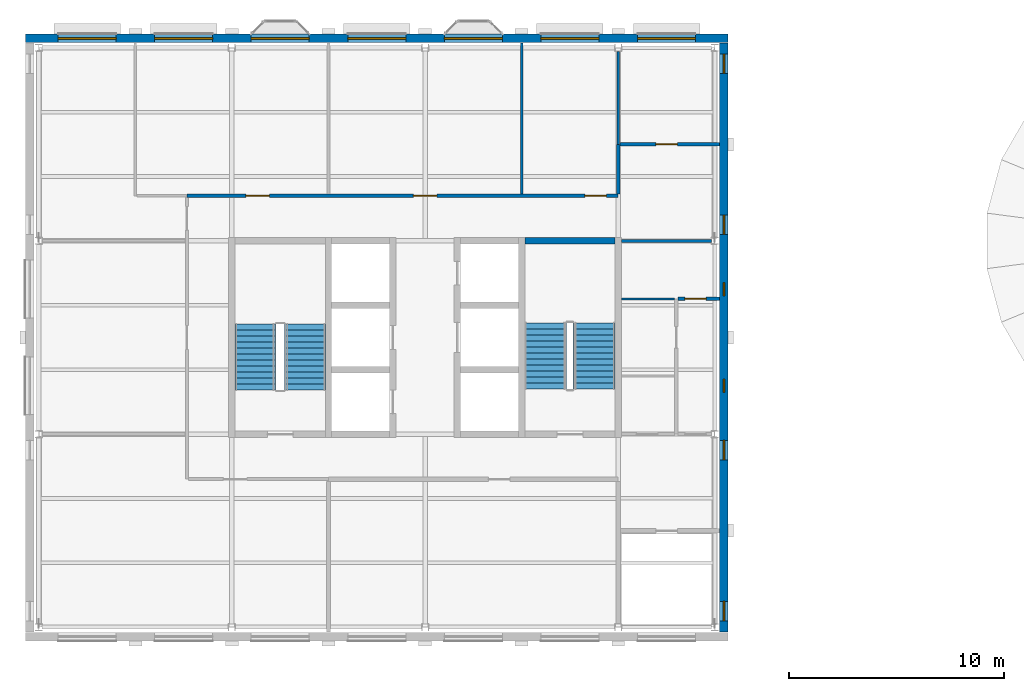
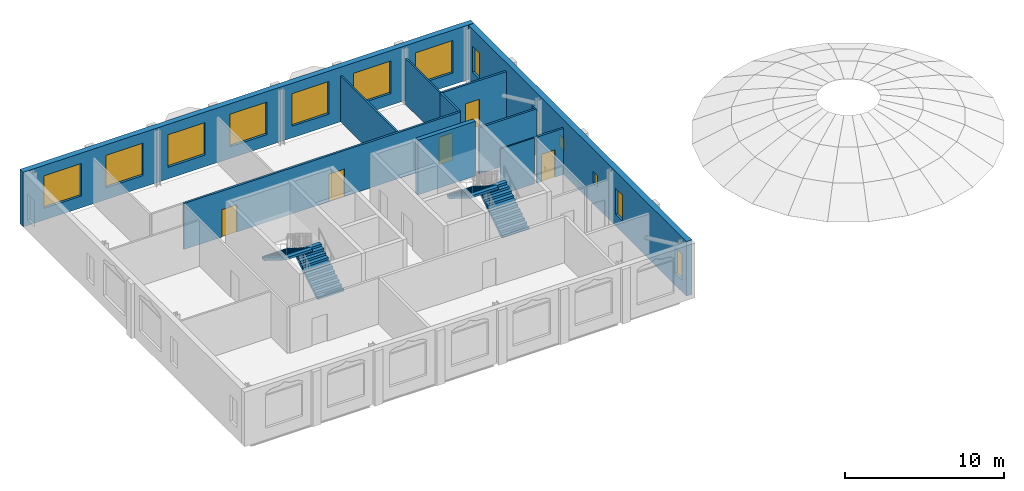
# One storey, part 7 of 11: 13 windows, 11 walls, 5 doors, 4 stair flights, 18 openings, 2 elements without a shape of their own.
"""IFC4 building model written with IfcOpenShell, lengths in metres."""

from ifc_helpers import new_model, si_unit, direction, frame, frame_2d, origin, place, context, subcontext, project, spatial, polyline, rectangle, outline, extrude, material, layer, layer_set, type_object, element, fill, aggregate, save


model = new_model("IFC4")

# Units and contexts
model_context = context("Model", 3, precision=1e-05, world=origin(), true_north=direction((0.0, 1.0)))
body_context = subcontext(model_context, "Body", "Model", "MODEL_VIEW")
ifc_project = project(units=[si_unit("LENGTHUNIT", "METRE"), si_unit("AREAUNIT", "SQUARE_METRE"), si_unit("VOLUMEUNIT", "CUBIC_METRE"), si_unit("PLANEANGLEUNIT", "RADIAN"), si_unit("MASSUNIT", "GRAM", prefix="KILO")], contexts=[model_context])

# Site, building, storey
site_placement = place(None, origin())
site = spatial("IfcSite", under=ifc_project, at=site_placement, CompositionType="ELEMENT")
building_placement = place(site_placement, origin())
building = spatial("IfcBuilding", under=site, at=building_placement, Name="Hortulan Conservatory and Botanical Research Centre", CompositionType="ELEMENT")
storey_placement = place(building_placement, frame((0.0, 0.0, 27.60009765625)))
storey = spatial("IfcBuildingStorey", under=building, at=storey_placement, Name="L06", CompositionType="ELEMENT", Elevation=27.60009765625)

# Walls
ifc_material_1 = material(Name="Concrete N50 (50 MPa, AS 3600)", Category="concrete")
ifc_layer_1 = layer(ifc_material_1, 0.300048828125)
ifc_layer_set_1 = layer_set([ifc_layer_1], Name="Core Wall 300 N50 FRL 240/120/120")
wall_type_1 = type_object("IfcWallType", Name="Core Wall 300 N50 FRL 240/120/120", PredefinedType="SHEAR", material=ifc_layer_set_1)
wall_1_placement = place(storey_placement, frame((22.64990234375, 18.0, 0.0), z_axis=(0.0, 0.0, 1.0), x_axis=(1.0, 0.0, 0.0)))
element("IfcWall", 1, at=wall_1_placement, inside=storey, type_object=wall_type_1, Name="Reinforced concrete shaft wall", PredefinedType="SHEAR", context=body_context, shape_type="SweptSolid", body=[
    extrude(rectangle(XDim=4.2001953125, YDim=0.300048828125, at=frame_2d((2.10009765625, 0.0))), origin(), (0.0, 0.0, 1.0), 4.199951171875),
])
ifc_material_2 = material(Name="Plasterboard on steel studs", Category="steel")
ifc_layer_2 = layer(ifc_material_2, 0.14990234375)
ifc_layer_set_2 = layer_set([ifc_layer_2], Name="Corridor Partition 150")
wall_type_2 = type_object("IfcWallType", Name="Corridor Partition 150", PredefinedType="PARTITIONING", material=ifc_layer_set_2)
wall_2_placement = place(storey_placement, frame((27.0, 20.18505859375, 0.0), z_axis=(0.0, 0.0, 1.0), x_axis=(0.0, 1.0, 0.0)))
element("IfcWall", 2, at=wall_2_placement, inside=storey, type_object=wall_type_2, Name="Corridor partition", PredefinedType="PARTITIONING", context=body_context, shape_type="SweptSolid", body=[
    extrude(rectangle(XDim=2.304931640625, YDim=0.14990234375, at=frame_2d((1.15234375, 0.0))), origin(), (0.0, 0.0, 1.0), 3.536865234375),
])
wall_3_placement = place(storey_placement, frame((27.159912109375, 18.0, 0.0), z_axis=(0.0, 0.0, 1.0), x_axis=(1.0, 0.0, 0.0)))
element("IfcWall", 3, at=wall_3_placement, inside=storey, type_object=wall_type_2, Name="Corridor partition", PredefinedType="PARTITIONING", context=body_context, shape_type="SweptSolid", body=[
    extrude(rectangle(XDim=4.174560546875, YDim=0.14990234375, at=frame_2d((2.08740234375, 0.0))), origin(), (0.0, 0.0, 1.0), 3.536865234375),
])

# Wall, openings, doors
wall_4_placement = place(storey_placement, frame((6.89990234375, 20.10009765625, 0.0), z_axis=(0.0, 0.0, 1.0), x_axis=(1.0, 0.0, 0.0)))
wall_4 = element("IfcWall", 4, at=wall_4_placement, inside=storey, type_object=wall_type_2, Name="Corridor partition", PredefinedType="PARTITIONING", context=body_context, shape_type="SweptSolid", body=[
    extrude(rectangle(XDim=20.10009765625, YDim=0.14990234375, at=frame_2d((10.050048828125, 0.0))), origin(), (0.0, 0.0, 1.0), 3.536865234375),
])
opening_1_placement = place(wall_4_placement, frame((2.75, 0.0, 0.0)))
opening_1 = element("IfcOpeningElement", 5, at=opening_1_placement, cuts=wall_4, Name="Opening DT3", PredefinedType="OPENING", context=body_context, shape_type="SweptSolid", body=[
    extrude(rectangle(XDim=1.10009765625, YDim=2.10009765625, at=frame_2d((0.550048828125, 1.050048828125))), frame((0.0, 0.0849609375, 0.0), z_axis=(0.0, -1.0, 0.0), x_axis=(1.0, 0.0, 0.0)), (0.0, 0.0, 1.0), 0.169921875),
])
opening_2_placement = place(wall_4_placement, frame((10.550048828125, 0.0, 0.0)))
opening_2 = element("IfcOpeningElement", 6, at=opening_2_placement, cuts=wall_4, Name="Opening DT3", PredefinedType="OPENING", context=body_context, shape_type="SweptSolid", body=[
    extrude(rectangle(XDim=1.10009765625, YDim=2.10009765625, at=frame_2d((0.550048828125, 1.050048828125))), frame((0.0, 0.0849609375, 0.0), z_axis=(0.0, -1.0, 0.0), x_axis=(1.0, 0.0, 0.0)), (0.0, 0.0, 1.0), 0.169921875),
])
opening_3_placement = place(wall_4_placement, frame((18.550048828125, 0.0, 0.0)))
opening_3 = element("IfcOpeningElement", 7, at=opening_3_placement, cuts=wall_4, Name="Opening DT1", PredefinedType="OPENING", context=body_context, shape_type="SweptSolid", body=[
    extrude(rectangle(XDim=1.0, YDim=2.10009765625, at=frame_2d((0.5, 1.050048828125))), frame((0.0, 0.0849609375, 0.0), z_axis=(0.0, -1.0, 0.0), x_axis=(1.0, 0.0, 0.0)), (0.0, 0.0, 1.0), 0.169921875),
])
ifc_material_3 = material(Name="Timber door leaf with vision panel", Category="wood")
door_type_1 = type_object("IfcDoorType", Name="Laboratory Door 1100x2100", OperationType="NOTDEFINED", PredefinedType="DOOR", material=ifc_material_3)
door_1_placement = place(opening_1_placement, origin())
door_1 = element("IfcDoor", 8, at=door_1_placement, inside=storey, type_object=door_type_1, Name="Door DT3 Specimen Preparation Laboratory", OperationType="SINGLE_SWING_RIGHT", OverallHeight=2.10009765625, OverallWidth=1.10009765625, PredefinedType="DOOR", context=body_context, shape_type="SweptSolid", body=[
    extrude(rectangle(XDim=1.10009765625, YDim=2.10009765625, at=frame_2d((0.550048828125, 1.050048828125))), frame((0.0, 0.02490234375, 0.0), z_axis=(0.0, -1.0, 0.0), x_axis=(1.0, 0.0, 0.0)), (0.0, 0.0, 1.0), 0.050048828125),
])
fill(opening_1, door_1)
door_2_placement = place(opening_2_placement, origin())
door_2 = element("IfcDoor", 9, at=door_2_placement, inside=storey, type_object=door_type_1, Name="Door DT3 Research Laboratory", OperationType="SINGLE_SWING_LEFT", OverallHeight=2.10009765625, OverallWidth=1.10009765625, PredefinedType="DOOR", context=body_context, shape_type="SweptSolid", body=[
    extrude(rectangle(XDim=1.10009765625, YDim=2.10009765625, at=frame_2d((0.550048828125, 1.050048828125))), frame((0.0, 0.02490234375, 0.0), z_axis=(0.0, -1.0, 0.0), x_axis=(1.0, 0.0, 0.0)), (0.0, 0.0, 1.0), 0.050048828125),
])
fill(opening_2, door_2)
ifc_material_4 = material(Name="Timber door leaf in timber frame", Category="wood")
door_type_2 = type_object("IfcDoorType", Name="Single Door 1000x2100", OperationType="NOTDEFINED", PredefinedType="DOOR", material=ifc_material_4)
door_3_placement = place(opening_3_placement, origin())
door_3 = element("IfcDoor", 10, at=door_3_placement, inside=storey, type_object=door_type_2, Name="Door DT1 Instrument Room", OperationType="SINGLE_SWING_RIGHT", OverallHeight=2.10009765625, OverallWidth=1.0, PredefinedType="DOOR", context=body_context, shape_type="SweptSolid", body=[
    extrude(rectangle(XDim=1.0, YDim=2.10009765625, at=frame_2d((0.5, 1.050048828125))), frame((0.0, 0.02490234375, 0.0), z_axis=(0.0, -1.0, 0.0), x_axis=(1.0, 0.0, 0.0)), (0.0, 0.0, 1.0), 0.050048828125),
])
fill(opening_3, door_3)

# Wall, opening, door
wall_5_placement = place(storey_placement, frame((27.072509765625, 22.5, 0.0), z_axis=(0.0, 0.0, 1.0), x_axis=(1.0, 0.0, 0.0)))
wall_5 = element("IfcWall", 11, at=wall_5_placement, inside=storey, type_object=wall_type_2, Name="Corridor partition", PredefinedType="PARTITIONING", context=body_context, shape_type="SweptSolid", body=[
    extrude(rectangle(XDim=4.642578125, YDim=0.14990234375, at=frame_2d((2.3212890625, 0.0))), origin(), (0.0, 0.0, 1.0), 3.536865234375),
])
opening_4_placement = place(wall_5_placement, frame((1.677490234375, 0.0, 0.0)))
opening_4 = element("IfcOpeningElement", 12, at=opening_4_placement, cuts=wall_5, Name="Opening DT1", PredefinedType="OPENING", context=body_context, shape_type="SweptSolid", body=[
    extrude(rectangle(XDim=1.0, YDim=2.10009765625, at=frame_2d((0.5, 1.050048828125))), frame((0.0, 0.0849609375, 0.0), z_axis=(0.0, -1.0, 0.0), x_axis=(1.0, 0.0, 0.0)), (0.0, 0.0, 1.0), 0.169921875),
])
door_4_placement = place(opening_4_placement, origin())
door_4 = element("IfcDoor", 13, at=door_4_placement, inside=storey, type_object=door_type_2, Name="Door DT1 Autoclave and Wash-up Room", OperationType="SINGLE_SWING_RIGHT", OverallHeight=2.10009765625, OverallWidth=1.0, PredefinedType="DOOR", context=body_context, shape_type="SweptSolid", body=[
    extrude(rectangle(XDim=1.0, YDim=2.10009765625, at=frame_2d((0.5, 1.050048828125))), frame((0.0, 0.02490234375, 0.0), z_axis=(0.0, -1.0, 0.0), x_axis=(1.0, 0.0, 0.0)), (0.0, 0.0, 1.0), 0.050048828125),
])
fill(opening_4, door_4)

# Wall, openings, windows
ifc_material_5 = material(Name="Faience-faced brickwork masonry", Category="masonry")
ifc_layer_3 = layer(ifc_material_5, 0.39990234375)
ifc_layer_set_3 = layer_set([ifc_layer_3], Name="Faience-faced Masonry Cavity Wall 400")
wall_type_3 = type_object("IfcWallType", Name="Faience-faced Masonry Cavity Wall 400", PredefinedType="STANDARD", material=ifc_layer_set_3)
wall_6_placement = place(storey_placement, frame((-0.625, 27.43603515625, 0.0), z_axis=(0.0, 0.0, 1.0), x_axis=(1.0, 0.0, 0.0)))
wall_6 = element("IfcWall", 14, at=wall_6_placement, inside=storey, type_object=wall_type_3, Name="E-EW-TW-L06-N3", PredefinedType="STANDARD", context=body_context, shape_type="SweptSolid", body=[
    extrude(rectangle(XDim=32.75, YDim=0.39990234375, at=frame_2d((16.375, 0.0))), origin(), (0.0, 0.0, 1.0), 4.199951171875),
])
opening_5_placement = place(wall_6_placement, frame((1.52490234375, 0.0, 0.89990234375)))
opening_5 = element("IfcOpeningElement", 15, at=opening_5_placement, cuts=wall_6, Name="Opening W4", PredefinedType="OPENING", context=body_context, shape_type="SweptSolid", body=[
    extrude(rectangle(XDim=2.699951171875, YDim=2.5, at=frame_2d((1.35009765625, 1.25))), frame((0.0, 0.2099609375, 0.0), z_axis=(0.0, -1.0, 0.0), x_axis=(1.0, 0.0, 0.0)), (0.0, 0.0, 1.0), 0.419921875),
])
opening_6_placement = place(wall_6_placement, frame((6.02490234375, 0.0, 0.89990234375)))
opening_6 = element("IfcOpeningElement", 16, at=opening_6_placement, cuts=wall_6, Name="Opening W4", PredefinedType="OPENING", context=body_context, shape_type="SweptSolid", body=[
    extrude(rectangle(XDim=2.699951171875, YDim=2.5, at=frame_2d((1.35009765625, 1.25))), frame((0.0, 0.2099609375, 0.0), z_axis=(0.0, -1.0, 0.0), x_axis=(1.0, 0.0, 0.0)), (0.0, 0.0, 1.0), 0.419921875),
])
opening_7_placement = place(wall_6_placement, frame((10.52490234375, 0.0, 0.89990234375)))
opening_7 = element("IfcOpeningElement", 17, at=opening_7_placement, cuts=wall_6, Name="Opening W4", PredefinedType="OPENING", context=body_context, shape_type="SweptSolid", body=[
    extrude(rectangle(XDim=2.699951171875, YDim=2.5, at=frame_2d((1.35009765625, 1.25))), frame((0.0, 0.2099609375, 0.0), z_axis=(0.0, -1.0, 0.0), x_axis=(1.0, 0.0, 0.0)), (0.0, 0.0, 1.0), 0.419921875),
])
opening_8_placement = place(wall_6_placement, frame((15.02490234375, 0.0, 0.89990234375)))
opening_8 = element("IfcOpeningElement", 18, at=opening_8_placement, cuts=wall_6, Name="Opening W4", PredefinedType="OPENING", context=body_context, shape_type="SweptSolid", body=[
    extrude(rectangle(XDim=2.699951171875, YDim=2.5, at=frame_2d((1.35009765625, 1.25))), frame((0.0, 0.2099609375, 0.0), z_axis=(0.0, -1.0, 0.0), x_axis=(1.0, 0.0, 0.0)), (0.0, 0.0, 1.0), 0.419921875),
])
opening_9_placement = place(wall_6_placement, frame((19.52490234375, 0.0, 0.89990234375)))
opening_9 = element("IfcOpeningElement", 19, at=opening_9_placement, cuts=wall_6, Name="Opening W4", PredefinedType="OPENING", context=body_context, shape_type="SweptSolid", body=[
    extrude(rectangle(XDim=2.699951171875, YDim=2.5, at=frame_2d((1.35009765625, 1.25))), frame((0.0, 0.2099609375, 0.0), z_axis=(0.0, -1.0, 0.0), x_axis=(1.0, 0.0, 0.0)), (0.0, 0.0, 1.0), 0.419921875),
])
opening_10_placement = place(wall_6_placement, frame((24.02490234375, 0.0, 0.89990234375)))
opening_10 = element("IfcOpeningElement", 20, at=opening_10_placement, cuts=wall_6, Name="Opening W4", PredefinedType="OPENING", context=body_context, shape_type="SweptSolid", body=[
    extrude(rectangle(XDim=2.699951171875, YDim=2.5, at=frame_2d((1.35009765625, 1.25))), frame((0.0, 0.2099609375, 0.0), z_axis=(0.0, -1.0, 0.0), x_axis=(1.0, 0.0, 0.0)), (0.0, 0.0, 1.0), 0.419921875),
])
opening_11_placement = place(wall_6_placement, frame((28.52490234375, 0.0, 0.89990234375)))
opening_11 = element("IfcOpeningElement", 21, at=opening_11_placement, cuts=wall_6, Name="Opening W4", PredefinedType="OPENING", context=body_context, shape_type="SweptSolid", body=[
    extrude(rectangle(XDim=2.699951171875, YDim=2.5, at=frame_2d((1.35009765625, 1.25))), frame((0.0, 0.2099609375, 0.0), z_axis=(0.0, -1.0, 0.0), x_axis=(1.0, 0.0, 0.0)), (0.0, 0.0, 1.0), 0.419921875),
])
ifc_material_6 = material(Name="Bronze-finished aluminium frame with low-e laminated double glazing", Category="aluminium")
window_type_1 = type_object("IfcWindowType", Name="Faience Window 2700x2500", PartitioningType="SINGLE_PANEL", PredefinedType="WINDOW", material=ifc_material_6)
window_1_placement = place(opening_5_placement, origin())
window_1 = element("IfcWindow", 22, at=window_1_placement, inside=storey, type_object=window_type_1, Name="Faience window", OverallHeight=2.5, OverallWidth=2.699951171875, PartitioningType="SINGLE_PANEL", PredefinedType="WINDOW", context=body_context, shape_type="SweptSolid", body=[
    extrude(rectangle(XDim=2.699951171875, YDim=2.5, at=frame_2d((1.35009765625, 1.25))), frame((0.0, 0.030029296875, 0.0), z_axis=(0.0, -1.0, 0.0), x_axis=(1.0, 0.0, 0.0)), (0.0, 0.0, 1.0), 0.06005859375),
])
fill(opening_5, window_1)
window_2_placement = place(opening_6_placement, origin())
window_2 = element("IfcWindow", 23, at=window_2_placement, inside=storey, type_object=window_type_1, Name="Faience window", OverallHeight=2.5, OverallWidth=2.699951171875, PartitioningType="SINGLE_PANEL", PredefinedType="WINDOW", context=body_context, shape_type="SweptSolid", body=[
    extrude(rectangle(XDim=2.699951171875, YDim=2.5, at=frame_2d((1.35009765625, 1.25))), frame((0.0, 0.030029296875, 0.0), z_axis=(0.0, -1.0, 0.0), x_axis=(1.0, 0.0, 0.0)), (0.0, 0.0, 1.0), 0.06005859375),
])
fill(opening_6, window_2)
window_3_placement = place(opening_7_placement, origin())
window_3 = element("IfcWindow", 24, at=window_3_placement, inside=storey, type_object=window_type_1, Name="Faience window", OverallHeight=2.5, OverallWidth=2.699951171875, PartitioningType="SINGLE_PANEL", PredefinedType="WINDOW", context=body_context, shape_type="SweptSolid", body=[
    extrude(rectangle(XDim=2.699951171875, YDim=2.5, at=frame_2d((1.35009765625, 1.25))), frame((0.0, 0.030029296875, 0.0), z_axis=(0.0, -1.0, 0.0), x_axis=(1.0, 0.0, 0.0)), (0.0, 0.0, 1.0), 0.06005859375),
])
fill(opening_7, window_3)
window_4_placement = place(opening_8_placement, origin())
window_4 = element("IfcWindow", 25, at=window_4_placement, inside=storey, type_object=window_type_1, Name="Faience window", OverallHeight=2.5, OverallWidth=2.699951171875, PartitioningType="SINGLE_PANEL", PredefinedType="WINDOW", context=body_context, shape_type="SweptSolid", body=[
    extrude(rectangle(XDim=2.699951171875, YDim=2.5, at=frame_2d((1.35009765625, 1.25))), frame((0.0, 0.030029296875, 0.0), z_axis=(0.0, -1.0, 0.0), x_axis=(1.0, 0.0, 0.0)), (0.0, 0.0, 1.0), 0.06005859375),
])
fill(opening_8, window_4)
window_5_placement = place(opening_9_placement, origin())
window_5 = element("IfcWindow", 26, at=window_5_placement, inside=storey, type_object=window_type_1, Name="Faience window", OverallHeight=2.5, OverallWidth=2.699951171875, PartitioningType="SINGLE_PANEL", PredefinedType="WINDOW", context=body_context, shape_type="SweptSolid", body=[
    extrude(rectangle(XDim=2.699951171875, YDim=2.5, at=frame_2d((1.35009765625, 1.25))), frame((0.0, 0.030029296875, 0.0), z_axis=(0.0, -1.0, 0.0), x_axis=(1.0, 0.0, 0.0)), (0.0, 0.0, 1.0), 0.06005859375),
])
fill(opening_9, window_5)
window_6_placement = place(opening_10_placement, origin())
window_6 = element("IfcWindow", 27, at=window_6_placement, inside=storey, type_object=window_type_1, Name="Faience window", OverallHeight=2.5, OverallWidth=2.699951171875, PartitioningType="SINGLE_PANEL", PredefinedType="WINDOW", context=body_context, shape_type="SweptSolid", body=[
    extrude(rectangle(XDim=2.699951171875, YDim=2.5, at=frame_2d((1.35009765625, 1.25))), frame((0.0, 0.030029296875, 0.0), z_axis=(0.0, -1.0, 0.0), x_axis=(1.0, 0.0, 0.0)), (0.0, 0.0, 1.0), 0.06005859375),
])
fill(opening_10, window_6)
window_7_placement = place(opening_11_placement, origin())
window_7 = element("IfcWindow", 28, at=window_7_placement, inside=storey, type_object=window_type_1, Name="Faience window", OverallHeight=2.5, OverallWidth=2.699951171875, PartitioningType="SINGLE_PANEL", PredefinedType="WINDOW", context=body_context, shape_type="SweptSolid", body=[
    extrude(rectangle(XDim=2.699951171875, YDim=2.5, at=frame_2d((1.35009765625, 1.25))), frame((0.0, 0.030029296875, 0.0), z_axis=(0.0, -1.0, 0.0), x_axis=(1.0, 0.0, 0.0)), (0.0, 0.0, 1.0), 0.06005859375),
])
fill(opening_11, window_7)

wall_7_placement = place(storey_placement, frame((31.925048828125, 27.22509765625, 0.0), z_axis=(0.0, 0.0, 1.0), x_axis=(0.0, -1.0, 0.0)))
wall_7 = element("IfcWall", 29, at=wall_7_placement, inside=storey, type_object=wall_type_3, Name="E-EW-TW-L06-E4", PredefinedType="STANDARD", context=body_context, shape_type="SweptSolid", body=[
    extrude(rectangle(XDim=27.4501953125, YDim=0.39990234375, at=frame_2d((13.72509765625, 0.0))), origin(), (0.0, 0.0, 1.0), 4.199951171875),
])
opening_12_placement = place(wall_7_placement, frame((26.02490234375, 0.0, 0.89990234375)))
opening_12 = element("IfcOpeningElement", 30, at=opening_12_placement, cuts=wall_7, Name="Opening W5", PredefinedType="OPENING", context=body_context, shape_type="SweptSolid", body=[
    extrude(rectangle(XDim=0.89990234375, YDim=2.0, at=frame_2d((0.449951171875, 1.0))), frame((0.0, 0.2099609375, 0.0), z_axis=(0.0, -1.0, 0.0), x_axis=(1.0, 0.0, 0.0)), (0.0, 0.0, 1.0), 0.419921875),
])
opening_13_placement = place(wall_7_placement, frame((18.52490234375, 0.0, 0.89990234375)))
opening_13 = element("IfcOpeningElement", 31, at=opening_13_placement, cuts=wall_7, Name="Opening W5", PredefinedType="OPENING", context=body_context, shape_type="SweptSolid", body=[
    extrude(rectangle(XDim=0.89990234375, YDim=2.0, at=frame_2d((0.449951171875, 1.0))), frame((0.0, 0.2099609375, 0.0), z_axis=(0.0, -1.0, 0.0), x_axis=(1.0, 0.0, 0.0)), (0.0, 0.0, 1.0), 0.419921875),
])
opening_14_placement = place(wall_7_placement, frame((15.675048828125, 0.0, 1.60009765625)))
opening_14 = element("IfcOpeningElement", 32, at=opening_14_placement, cuts=wall_7, Name="Opening W3", PredefinedType="OPENING", context=body_context, shape_type="SweptSolid", body=[
    extrude(rectangle(XDim=0.60009765625, YDim=0.89990234375, at=frame_2d((0.300048828125, 0.449951171875))), frame((0.0, 0.2099609375, 0.0), z_axis=(0.0, -1.0, 0.0), x_axis=(1.0, 0.0, 0.0)), (0.0, 0.0, 1.0), 0.419921875),
])
opening_15_placement = place(wall_7_placement, frame((11.175048828125, 0.0, 1.60009765625)))
opening_15 = element("IfcOpeningElement", 33, at=opening_15_placement, cuts=wall_7, Name="Opening W3", PredefinedType="OPENING", context=body_context, shape_type="SweptSolid", body=[
    extrude(rectangle(XDim=0.60009765625, YDim=0.89990234375, at=frame_2d((0.300048828125, 0.449951171875))), frame((0.0, 0.2099609375, 0.0), z_axis=(0.0, -1.0, 0.0), x_axis=(1.0, 0.0, 0.0)), (0.0, 0.0, 1.0), 0.419921875),
])
opening_16_placement = place(wall_7_placement, frame((8.02490234375, 0.0, 0.89990234375)))
opening_16 = element("IfcOpeningElement", 34, at=opening_16_placement, cuts=wall_7, Name="Opening W5", PredefinedType="OPENING", context=body_context, shape_type="SweptSolid", body=[
    extrude(rectangle(XDim=0.89990234375, YDim=2.0, at=frame_2d((0.449951171875, 1.0))), frame((0.0, 0.2099609375, 0.0), z_axis=(0.0, -1.0, 0.0), x_axis=(1.0, 0.0, 0.0)), (0.0, 0.0, 1.0), 0.419921875),
])
opening_17_placement = place(wall_7_placement, frame((0.52490234375, 0.0, 0.89990234375)))
opening_17 = element("IfcOpeningElement", 35, at=opening_17_placement, cuts=wall_7, Name="Opening W5", PredefinedType="OPENING", context=body_context, shape_type="SweptSolid", body=[
    extrude(rectangle(XDim=0.89990234375, YDim=2.0, at=frame_2d((0.449951171875, 1.0))), frame((0.0, 0.2099609375, 0.0), z_axis=(0.0, -1.0, 0.0), x_axis=(1.0, 0.0, 0.0)), (0.0, 0.0, 1.0), 0.419921875),
])
window_type_2 = type_object("IfcWindowType", Name="Faience Pier Window 900x2000", PartitioningType="SINGLE_PANEL", PredefinedType="WINDOW", material=ifc_material_6)
window_8_placement = place(opening_12_placement, origin())
window_8 = element("IfcWindow", 36, at=window_8_placement, inside=storey, type_object=window_type_2, Name="Faience Pier window", OverallHeight=2.0, OverallWidth=0.89990234375, PartitioningType="SINGLE_PANEL", PredefinedType="WINDOW", context=body_context, shape_type="SweptSolid", body=[
    extrude(rectangle(XDim=0.89990234375, YDim=2.0, at=frame_2d((0.449951171875, 1.0))), frame((0.0, 0.030029296875, 0.0), z_axis=(0.0, -1.0, 0.0), x_axis=(1.0, 0.0, 0.0)), (0.0, 0.0, 1.0), 0.06005859375),
])
fill(opening_12, window_8)
window_9_placement = place(opening_13_placement, origin())
window_9 = element("IfcWindow", 37, at=window_9_placement, inside=storey, type_object=window_type_2, Name="Faience Pier window", OverallHeight=2.0, OverallWidth=0.89990234375, PartitioningType="SINGLE_PANEL", PredefinedType="WINDOW", context=body_context, shape_type="SweptSolid", body=[
    extrude(rectangle(XDim=0.89990234375, YDim=2.0, at=frame_2d((0.449951171875, 1.0))), frame((0.0, 0.030029296875, 0.0), z_axis=(0.0, -1.0, 0.0), x_axis=(1.0, 0.0, 0.0)), (0.0, 0.0, 1.0), 0.06005859375),
])
fill(opening_13, window_9)
window_10_placement = place(opening_16_placement, origin())
window_10 = element("IfcWindow", 38, at=window_10_placement, inside=storey, type_object=window_type_2, Name="Faience Pier window", OverallHeight=2.0, OverallWidth=0.89990234375, PartitioningType="SINGLE_PANEL", PredefinedType="WINDOW", context=body_context, shape_type="SweptSolid", body=[
    extrude(rectangle(XDim=0.89990234375, YDim=2.0, at=frame_2d((0.449951171875, 1.0))), frame((0.0, 0.030029296875, 0.0), z_axis=(0.0, -1.0, 0.0), x_axis=(1.0, 0.0, 0.0)), (0.0, 0.0, 1.0), 0.06005859375),
])
fill(opening_16, window_10)
window_11_placement = place(opening_17_placement, origin())
window_11 = element("IfcWindow", 39, at=window_11_placement, inside=storey, type_object=window_type_2, Name="Faience Pier window", OverallHeight=2.0, OverallWidth=0.89990234375, PartitioningType="SINGLE_PANEL", PredefinedType="WINDOW", context=body_context, shape_type="SweptSolid", body=[
    extrude(rectangle(XDim=0.89990234375, YDim=2.0, at=frame_2d((0.449951171875, 1.0))), frame((0.0, 0.030029296875, 0.0), z_axis=(0.0, -1.0, 0.0), x_axis=(1.0, 0.0, 0.0)), (0.0, 0.0, 1.0), 0.06005859375),
])
fill(opening_17, window_11)
window_type_3 = type_object("IfcWindowType", Name="Slot Window 600x900", PartitioningType="SINGLE_PANEL", PredefinedType="WINDOW", material=ifc_material_6)
window_12_placement = place(opening_14_placement, origin())
window_12 = element("IfcWindow", 40, at=window_12_placement, inside=storey, type_object=window_type_3, Name="Slot window", OverallHeight=0.89990234375, OverallWidth=0.60009765625, PartitioningType="SINGLE_PANEL", PredefinedType="WINDOW", context=body_context, shape_type="SweptSolid", body=[
    extrude(rectangle(XDim=0.60009765625, YDim=0.89990234375, at=frame_2d((0.300048828125, 0.449951171875))), frame((0.0, 0.030029296875, 0.0), z_axis=(0.0, -1.0, 0.0), x_axis=(1.0, 0.0, 0.0)), (0.0, 0.0, 1.0), 0.06005859375),
])
fill(opening_14, window_12)
window_13_placement = place(opening_15_placement, origin())
window_13 = element("IfcWindow", 41, at=window_13_placement, inside=storey, type_object=window_type_3, Name="Slot window", OverallHeight=0.89990234375, OverallWidth=0.60009765625, PartitioningType="SINGLE_PANEL", PredefinedType="WINDOW", context=body_context, shape_type="SweptSolid", body=[
    extrude(rectangle(XDim=0.60009765625, YDim=0.89990234375, at=frame_2d((0.300048828125, 0.449951171875))), frame((0.0, 0.030029296875, 0.0), z_axis=(0.0, -1.0, 0.0), x_axis=(1.0, 0.0, 0.0)), (0.0, 0.0, 1.0), 0.06005859375),
])
fill(opening_15, window_13)

# Wall, opening, door
ifc_material_7 = material(Name="Fire-rated plasterboard on steel studs", Category="steel")
ifc_layer_4 = layer(ifc_material_7, 0.14990234375)
ifc_layer_set_4 = layer_set([ifc_layer_4], Name="Lobby Partition 150")
wall_type_4 = type_object("IfcWallType", Name="Lobby Partition 150", PredefinedType="PARTITIONING", material=ifc_layer_set_4)
wall_8_placement = place(storey_placement, frame((29.784912109375, 15.300048828125, 0.0), z_axis=(0.0, 0.0, 1.0), x_axis=(1.0, 0.0, 0.0)))
wall_8 = element("IfcWall", 42, at=wall_8_placement, inside=storey, type_object=wall_type_4, Name="Lobby partition", PredefinedType="PARTITIONING", context=body_context, shape_type="SweptSolid", body=[
    extrude(rectangle(XDim=1.93017578125, YDim=0.14990234375, at=frame_2d((0.965087890625, 0.0))), origin(), (0.0, 0.0, 1.0), 3.536865234375),
])
opening_18_placement = place(wall_8_placement, frame((0.31494140625, 0.0, 0.0)))
opening_18 = element("IfcOpeningElement", 43, at=opening_18_placement, cuts=wall_8, Name="Opening DT4", PredefinedType="OPENING", context=body_context, shape_type="SweptSolid", body=[
    extrude(rectangle(XDim=1.0, YDim=2.10009765625, at=frame_2d((0.5, 1.050048828125))), frame((0.0, 0.0849609375, 0.0), z_axis=(0.0, -1.0, 0.0), x_axis=(1.0, 0.0, 0.0)), (0.0, 0.0, 1.0), 0.169921875),
])
ifc_material_8 = material(Name="Steel door leaf, insulated", Category="steel")
door_type_3 = type_object("IfcDoorType", Name="Fire Door 1000x2100 FRL -/60/30", OperationType="NOTDEFINED", PredefinedType="DOOR", material=ifc_material_8)
door_5_placement = place(opening_18_placement, origin())
door_5 = element("IfcDoor", 44, at=door_5_placement, inside=storey, type_object=door_type_3, Name="Door DT4 Men's WC", OperationType="SINGLE_SWING_RIGHT", OverallHeight=2.10009765625, OverallWidth=1.0, PredefinedType="DOOR", context=body_context, shape_type="SweptSolid", body=[
    extrude(rectangle(XDim=1.0, YDim=2.10009765625, at=frame_2d((0.5, 1.050048828125))), frame((0.0, 0.02490234375, 0.0), z_axis=(0.0, -1.0, 0.0), x_axis=(1.0, 0.0, 0.0)), (0.0, 0.0, 1.0), 0.050048828125),
])
fill(opening_18, door_5)

# Walls
ifc_layer_5 = layer(ifc_material_2, 0.125)
ifc_layer_set_5 = layer_set([ifc_layer_5], Name="Partition 125")
wall_type_5 = type_object("IfcWallType", Name="Partition 125", PredefinedType="PARTITIONING", material=ifc_layer_set_5)
wall_9_placement = place(storey_placement, frame((22.5, 20.18505859375, 0.0), z_axis=(0.0, 0.0, 1.0), x_axis=(0.0, 1.0, 0.0)))
element("IfcWall", 45, at=wall_9_placement, inside=storey, type_object=wall_type_5, Name="Partition", PredefinedType="PARTITIONING", context=body_context, shape_type="SweptSolid", body=[
    extrude(rectangle(XDim=7.041015625, YDim=0.125, at=frame_2d((3.5205078125, 0.0))), origin(), (0.0, 0.0, 1.0), 3.536865234375),
])
wall_10_placement = place(storey_placement, frame((27.0, 22.5, 0.0), z_axis=(0.0, 0.0, 1.0), x_axis=(0.0, 1.0, 0.0)))
element("IfcWall", 46, at=wall_10_placement, inside=storey, type_object=wall_type_5, Name="Partition", PredefinedType="PARTITIONING", context=body_context, shape_type="SweptSolid", body=[
    extrude(rectangle(XDim=4.326416015625, YDim=0.125, at=frame_2d((2.1630859375, 0.0))), origin(), (0.0, 0.0, 1.0), 3.536865234375),
])
ifc_material_9 = material(Name="Moisture-resistant plasterboard on steel studs", Category="steel")
ifc_layer_6 = layer(ifc_material_9, 0.10009765625)
ifc_layer_set_6 = layer_set([ifc_layer_6], Name="Wet Area Partition 100")
wall_type_6 = type_object("IfcWallType", Name="Wet Area Partition 100", PredefinedType="PARTITIONING", material=ifc_layer_set_6)
wall_11_placement = place(storey_placement, frame((27.159912109375, 15.300048828125, 0.0), z_axis=(0.0, 0.0, 1.0), x_axis=(1.0, 0.0, 0.0)))
element("IfcWall", 47, at=wall_11_placement, inside=storey, type_object=wall_type_6, Name="Toilet partition", PredefinedType="PARTITIONING", context=body_context, shape_type="SweptSolid", body=[
    extrude(rectangle(XDim=2.455078125, YDim=0.10009765625, at=frame_2d((1.2275390625, 0.0))), origin(), (0.0, 0.0, 1.0), 3.536865234375),
])

# Stair, stair flights
ifc_material_10 = material(Name="Concrete N40 (40 MPa, AS 3600)", Category="concrete")
stair_type_1 = type_object("IfcStairType", Name="Concrete Escape Stair 1900", PredefinedType="HALF_TURN_STAIR", material=ifc_material_10)
stair_1_placement = place(storey_placement, origin())
stair_1 = element("IfcStair", 48, at=stair_1_placement, inside=storey, type_object=stair_type_1, Name="Stair T1 L06", PredefinedType="HALF_TURN_STAIR")
ifc_layer_7 = layer(ifc_material_10, 0.14990234375)
ifc_layer_set_7 = layer_set([ifc_layer_7], Name="Stair Flight 1900 wide, riser 175")
stair_flight_type_1 = type_object("IfcStairFlightType", Name="Stair Flight 1900 wide, riser 175", PredefinedType="STRAIGHT", material=ifc_layer_set_7)
stair_flight_1_placement = place(storey_placement, frame((12.39990234375, 11.050048828125, 0.0), z_axis=(0.0, 0.0, 1.0), x_axis=(0.0, 1.0, 0.0)))
stair_flight_1 = element("IfcStairFlight", 49, at=stair_flight_1_placement, type_object=stair_flight_type_1, Name="Stair T1 L06 flight 1", NumberOfRisers=12, NumberOfTreads=11, PredefinedType="STRAIGHT", RiserHeight=0.175, TreadLength=0.28, context=body_context, shape_type="SweptSolid", body=[
    extrude(outline(polyline([(0.0, 0.0), (0.0, 0.175048828125), (0.280029296875, 0.175048828125), (0.280029296875, 0.35009765625), (0.56005859375, 0.35009765625), (0.56005859375, 0.52490234375), (0.840087890625, 0.52490234375), (0.840087890625, 0.699951171875), (1.1201171875, 0.699951171875), (1.1201171875, 0.875), (1.39990234375, 0.875), (1.39990234375, 1.050048828125), (1.679931640625, 1.050048828125), (1.679931640625, 1.22509765625), (1.9599609375, 1.22509765625), (1.9599609375, 1.39990234375), (2.239990234375, 1.39990234375), (2.239990234375, 1.574951171875), (2.52001953125, 1.574951171875), (2.52001953125, 1.75), (2.800048828125, 1.75), (2.800048828125, 1.925048828125), (3.080078125, 1.925048828125), (3.080078125, 2.10009765625), (3.080078125, 1.748291015625), (0.28271484375, 0.0), (0.0, 0.0)])), frame((0.0, 0.949951171875, 0.0), z_axis=(0.0, -1.0, 0.0), x_axis=(1.0, 0.0, 0.0)), (0.0, 0.0, 1.0), 1.89990234375),
])
stair_flight_2_placement = place(storey_placement, frame((10.10009765625, 14.1298828125, 2.099853515625), z_axis=(0.0, 0.0, 1.0), x_axis=(0.0, -1.0, 0.0)))
stair_flight_2 = element("IfcStairFlight", 50, at=stair_flight_2_placement, type_object=stair_flight_type_1, Name="Stair T1 L06 flight 2", NumberOfRisers=12, NumberOfTreads=11, PredefinedType="STRAIGHT", RiserHeight=0.175, TreadLength=0.28, context=body_context, shape_type="SweptSolid", body=[
    extrude(outline(polyline([(0.0, 0.0), (0.0, 0.175048828125), (0.280029296875, 0.175048828125), (0.280029296875, 0.35009765625), (0.56005859375, 0.35009765625), (0.56005859375, 0.52490234375), (0.840087890625, 0.52490234375), (0.840087890625, 0.699951171875), (1.1201171875, 0.699951171875), (1.1201171875, 0.875), (1.39990234375, 0.875), (1.39990234375, 1.050048828125), (1.679931640625, 1.050048828125), (1.679931640625, 1.22509765625), (1.9599609375, 1.22509765625), (1.9599609375, 1.39990234375), (2.239990234375, 1.39990234375), (2.239990234375, 1.574951171875), (2.52001953125, 1.574951171875), (2.52001953125, 1.75), (2.800048828125, 1.75), (2.800048828125, 1.925048828125), (3.080078125, 1.925048828125), (3.080078125, 2.10009765625), (3.080078125, 1.748291015625), (0.28271484375, 0.0), (0.0, 0.0)])), frame((0.0, 0.949951171875, 0.0), z_axis=(0.0, -1.0, 0.0), x_axis=(1.0, 0.0, 0.0)), (0.0, 0.0, 1.0), 1.89990234375),
])
aggregate(stair_1, [stair_flight_1, stair_flight_2])

stair_type_2 = type_object("IfcStairType", Name="Concrete Escape Stair 1950", PredefinedType="HALF_TURN_STAIR", material=ifc_material_10)
stair_2_placement = place(storey_placement, origin())
stair_2 = element("IfcStair", 51, at=stair_2_placement, inside=storey, type_object=stair_type_2, Name="Stair T2 L06", PredefinedType="HALF_TURN_STAIR")
ifc_layer_8 = layer(ifc_material_10, 0.14990234375)
ifc_layer_set_8 = layer_set([ifc_layer_8], Name="Stair Flight 1950 wide, riser 175")
stair_flight_type_2 = type_object("IfcStairFlightType", Name="Stair Flight 1950 wide, riser 175", PredefinedType="STRAIGHT", material=ifc_layer_set_8)
stair_flight_3_placement = place(storey_placement, frame((25.875, 11.10009765625, 0.0), z_axis=(0.0, 0.0, 1.0), x_axis=(0.0, 1.0, 0.0)))
stair_flight_3 = element("IfcStairFlight", 52, at=stair_flight_3_placement, type_object=stair_flight_type_2, Name="Stair T2 L06 flight 1", NumberOfRisers=12, NumberOfTreads=11, PredefinedType="STRAIGHT", RiserHeight=0.175, TreadLength=0.28, context=body_context, shape_type="SweptSolid", body=[
    extrude(outline(polyline([(0.0, 0.0), (0.0, 0.175048828125), (0.280029296875, 0.175048828125), (0.280029296875, 0.35009765625), (0.56005859375, 0.35009765625), (0.56005859375, 0.52490234375), (0.840087890625, 0.52490234375), (0.840087890625, 0.699951171875), (1.1201171875, 0.699951171875), (1.1201171875, 0.875), (1.39990234375, 0.875), (1.39990234375, 1.050048828125), (1.679931640625, 1.050048828125), (1.679931640625, 1.22509765625), (1.9599609375, 1.22509765625), (1.9599609375, 1.39990234375), (2.239990234375, 1.39990234375), (2.239990234375, 1.574951171875), (2.52001953125, 1.574951171875), (2.52001953125, 1.75), (2.800048828125, 1.75), (2.800048828125, 1.925048828125), (3.080078125, 1.925048828125), (3.080078125, 2.10009765625), (3.080078125, 1.748291015625), (0.28271484375, 0.0), (0.0, 0.0)])), frame((0.0, 0.97509765625, 0.0), z_axis=(0.0, -1.0, 0.0), x_axis=(1.0, 0.0, 0.0)), (0.0, 0.0, 1.0), 1.949951171875),
])
stair_flight_4_placement = place(storey_placement, frame((23.625, 14.179931640625, 2.099853515625), z_axis=(0.0, 0.0, 1.0), x_axis=(0.0, -1.0, 0.0)))
stair_flight_4 = element("IfcStairFlight", 53, at=stair_flight_4_placement, type_object=stair_flight_type_2, Name="Stair T2 L06 flight 2", NumberOfRisers=12, NumberOfTreads=11, PredefinedType="STRAIGHT", RiserHeight=0.175, TreadLength=0.28, context=body_context, shape_type="SweptSolid", body=[
    extrude(outline(polyline([(0.0, 0.0), (0.0, 0.175048828125), (0.280029296875, 0.175048828125), (0.280029296875, 0.35009765625), (0.56005859375, 0.35009765625), (0.56005859375, 0.52490234375), (0.840087890625, 0.52490234375), (0.840087890625, 0.699951171875), (1.1201171875, 0.699951171875), (1.1201171875, 0.875), (1.39990234375, 0.875), (1.39990234375, 1.050048828125), (1.679931640625, 1.050048828125), (1.679931640625, 1.22509765625), (1.9599609375, 1.22509765625), (1.9599609375, 1.39990234375), (2.239990234375, 1.39990234375), (2.239990234375, 1.574951171875), (2.52001953125, 1.574951171875), (2.52001953125, 1.75), (2.800048828125, 1.75), (2.800048828125, 1.925048828125), (3.080078125, 1.925048828125), (3.080078125, 2.10009765625), (3.080078125, 1.748291015625), (0.28271484375, 0.0), (0.0, 0.0)])), frame((0.0, 0.97509765625, 0.0), z_axis=(0.0, -1.0, 0.0), x_axis=(1.0, 0.0, 0.0)), (0.0, 0.0, 1.0), 1.949951171875),
])
aggregate(stair_2, [stair_flight_3, stair_flight_4])

save(model, "model.ifc")
